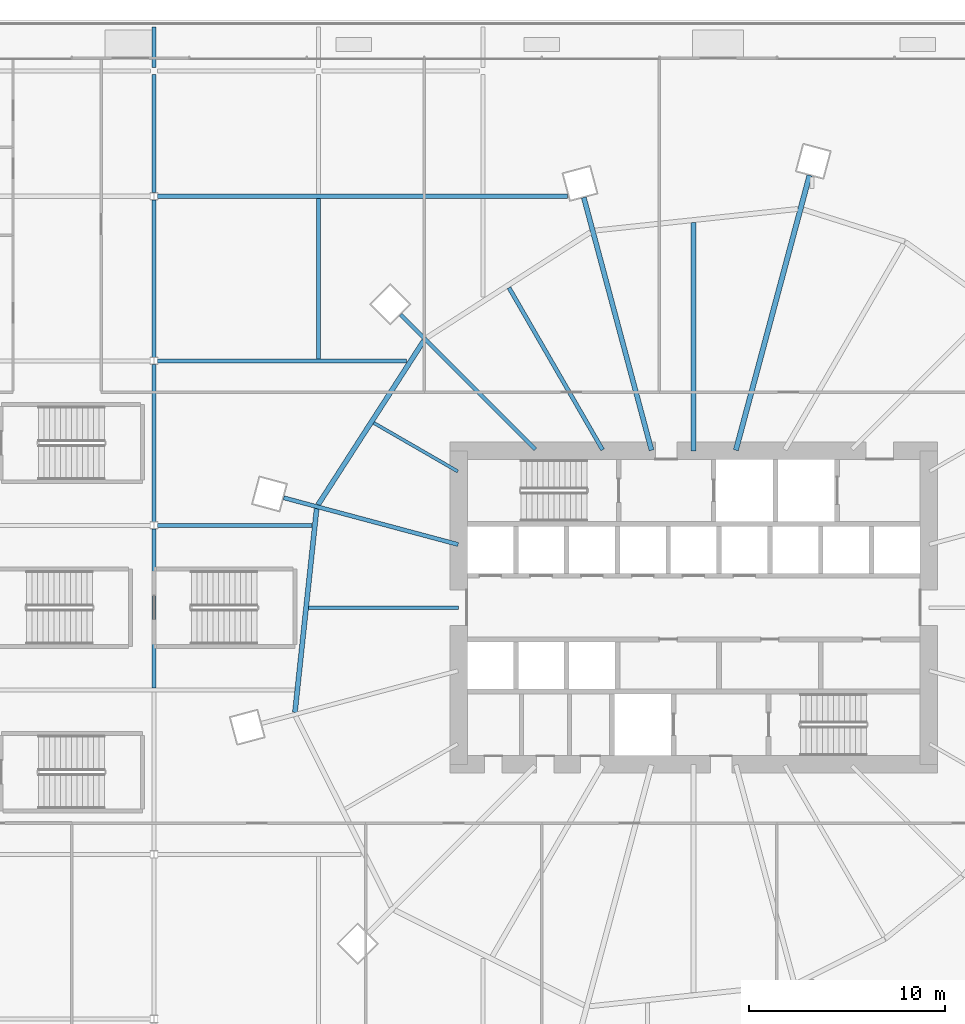
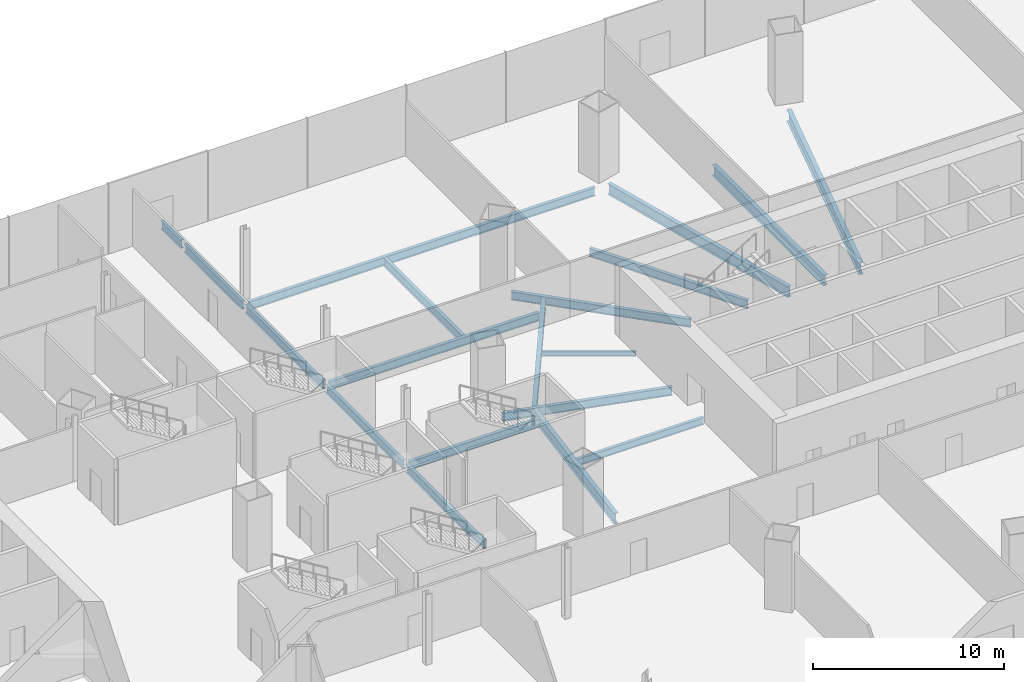
# One storey, part 26 of 52: 19 beams.
"""IFC4 building model written with IfcOpenShell, lengths in metres."""

from ifc_helpers import new_model, si_unit, direction, frame, origin, origin_2d, place, context, subcontext, project, spatial, i_section, extrude, material, material_profile, profile_set, type_object, element, save


model = new_model("IFC4")

# Units and contexts
model_context = context("Model", 3, precision=1e-05, world=origin(), true_north=direction((0.0, 1.0)))
body_context = subcontext(model_context, "Body", "Model", "MODEL_VIEW")
ifc_project = project(units=[si_unit("LENGTHUNIT", "METRE"), si_unit("AREAUNIT", "SQUARE_METRE"), si_unit("VOLUMEUNIT", "CUBIC_METRE"), si_unit("PLANEANGLEUNIT", "RADIAN"), si_unit("MASSUNIT", "GRAM", prefix="KILO")], contexts=[model_context])

# Site, building, storey
site_placement = place(None, origin())
site = spatial("IfcSite", under=ifc_project, at=site_placement, CompositionType="ELEMENT")
building_placement = place(site_placement, origin())
building = spatial("IfcBuilding", under=site, at=building_placement, Name="Rimbun Link Towers", CompositionType="ELEMENT")
storey_placement = place(building_placement, frame((0.0, 0.0, 21.0)))
storey = spatial("IfcBuildingStorey", under=building, at=storey_placement, Name="L04", CompositionType="ELEMENT", Elevation=21.0)

# Beams
ifc_material_1 = material(Name="Steel S355J2", Category="steel")
ifc_material_profile_1 = material_profile(ifc_material_1, i_section(OverallWidth=0.1650390625, OverallDepth=0.303466796875, WebThickness=0.006103515625, FlangeThickness=0.01025390625, at=origin_2d()), Name="UB 305x165x40")
ifc_profile_set_1 = profile_set([ifc_material_profile_1], Name="Steel S355J2")
beam_type_1 = type_object("IfcBeamType", Name="UB 305x165x40", PredefinedType="BEAM", material=ifc_profile_set_1)
beam_1_placement = place(storey_placement, frame((19.7080078125, 6.952392578125, -0.45166015625), z_axis=(-0.866029649098, 0.49999264683, 0.0), x_axis=(-0.49999264683, -0.866029649098, 0.0)))
element("IfcBeam", 1, at=beam_1_placement, inside=storey, type_object=beam_type_1, Name="Radial beam T2 L04 07", PredefinedType="BEAM", context=body_context, shape_type="SweptSolid", body=[
    extrude(i_section(OverallWidth=0.1650390625, OverallDepth=0.303466796875, WebThickness=0.006103515625, FlangeThickness=0.01025390625, at=origin_2d()), origin(), (0.0, 0.0, 1.0), 4.95361328125),
])
ifc_material_2 = material(Name="Steel S355J2", Category="steel")
ifc_material_profile_2 = material_profile(ifc_material_2, i_section(OverallWidth=0.18994140625, OverallDepth=0.453369140625, WebThickness=0.008544921875, FlangeThickness=0.0126953125, at=origin_2d()), Name="UB 457x191x67")
ifc_profile_set_2 = profile_set([ifc_material_profile_2], Name="Steel S355J2")
beam_type_2 = type_object("IfcBeamType", Name="UB 457x191x67", PredefinedType="BEAM", material=ifc_profile_set_2)
beam_2_placement = place(storey_placement, frame((19.7490234375, 0.0, -0.526611328125), z_axis=(-1.0, 0.0, 0.0), x_axis=(0.0, -1.0, 0.0)))
element("IfcBeam", 2, at=beam_2_placement, inside=storey, type_object=beam_type_2, Name="Radial beam T2 L04 09", PredefinedType="BEAM", context=body_context, shape_type="SweptSolid", body=[
    extrude(i_section(OverallWidth=0.18994140625, OverallDepth=0.453369140625, WebThickness=0.008544921875, FlangeThickness=0.0126953125, at=origin_2d()), origin(), (0.0, 0.0, 1.0), 7.65771484375),
])
ifc_material_3 = material(Name="Steel S355J2", Category="steel")
ifc_material_profile_3 = material_profile(ifc_material_3, i_section(OverallWidth=0.209228515625, OverallDepth=0.533203125, WebThickness=0.010009765625, FlangeThickness=0.015625, at=origin_2d()), Name="UB 533x210x92")
ifc_profile_set_3 = profile_set([ifc_material_profile_3], Name="Steel S355J2")
beam_type_3 = type_object("IfcBeamType", Name="UB 533x210x92", PredefinedType="BEAM", material=ifc_profile_set_3)
beam_3_placement = place(storey_placement, frame((27.1005859375, 8.05322265625, -0.56640625), z_axis=(-0.500001003139, 0.866024824621, 0.0), x_axis=(-0.866024824621, -0.500001003139, 0.0)))
element("IfcBeam", 3, at=beam_3_placement, inside=storey, type_object=beam_type_3, Name="Radial beam T2 L04 05", PredefinedType="BEAM", context=body_context, shape_type="SweptSolid", body=[
    extrude(i_section(OverallWidth=0.209228515625, OverallDepth=0.533203125, WebThickness=0.010009765625, FlangeThickness=0.015625, at=origin_2d()), origin(), (0.0, 0.0, 1.0), 9.5595703125),
])
beam_4_placement = place(storey_placement, frame((23.67529296875, 8.07470703125, -0.56640625), z_axis=(-0.707106781187, 0.707106781187, 0.0), x_axis=(-0.707106781187, -0.707106781187, 0.0)))
element("IfcBeam", 4, at=beam_4_placement, inside=storey, type_object=beam_type_3, Name="Radial beam T2 L04 06", PredefinedType="BEAM", context=body_context, shape_type="SweptSolid", body=[
    extrude(i_section(OverallWidth=0.209228515625, OverallDepth=0.533203125, WebThickness=0.010009765625, FlangeThickness=0.015625, at=origin_2d()), origin(), (0.0, 0.0, 1.0), 9.73486328125),
])
beam_5_placement = place(storey_placement, frame((19.721923828125, 3.222900390625, -0.56640625), z_axis=(-0.965927485499, 0.258812852768, 0.0), x_axis=(-0.258812852768, -0.965927485499, 0.0)))
element("IfcBeam", 5, at=beam_5_placement, inside=storey, type_object=beam_type_3, Name="Radial beam T2 L04 08", PredefinedType="BEAM", context=body_context, shape_type="SweptSolid", body=[
    extrude(i_section(OverallWidth=0.209228515625, OverallDepth=0.533203125, WebThickness=0.010009765625, FlangeThickness=0.015625, at=origin_2d()), origin(), (0.0, 0.0, 1.0), 9.219970703125),
])
beam_6_placement = place(storey_placement, frame((4.38525390625, 4.199951171875, -0.56640625), z_axis=(1.0, 0.0, 0.0), x_axis=(0.0, 1.0, 0.0)))
element("IfcBeam", 6, at=beam_6_placement, inside=storey, type_object=beam_type_3, Name="Grid beam L04 +4.2", PredefinedType="BEAM", context=body_context, shape_type="SweptSolid", body=[
    extrude(i_section(OverallWidth=0.209228515625, OverallDepth=0.533203125, WebThickness=0.010009765625, FlangeThickness=0.015625, at=origin_2d()), origin(), (0.0, 0.0, 1.0), 7.88525390625),
])
beam_7_placement = place(storey_placement, frame((4.38525390625, 12.60009765625, -0.56640625), z_axis=(1.0, 0.0, 0.0), x_axis=(0.0, 1.0, 0.0)))
element("IfcBeam", 7, at=beam_7_placement, inside=storey, type_object=beam_type_3, Name="Grid beam L04 +12.6", PredefinedType="BEAM", context=body_context, shape_type="SweptSolid", body=[
    extrude(i_section(OverallWidth=0.209228515625, OverallDepth=0.533203125, WebThickness=0.010009765625, FlangeThickness=0.015625, at=origin_2d()), origin(), (0.0, 0.0, 1.0), 12.7041015625),
])
beam_8_placement = place(storey_placement, frame((4.38525390625, 21.0, -0.56640625), z_axis=(1.0, 0.0, 0.0), x_axis=(0.0, 1.0, 0.0)))
element("IfcBeam", 8, at=beam_8_placement, inside=storey, type_object=beam_type_3, Name="Grid beam L04 +21.0", PredefinedType="BEAM", context=body_context, shape_type="SweptSolid", body=[
    extrude(i_section(OverallWidth=0.209228515625, OverallDepth=0.533203125, WebThickness=0.010009765625, FlangeThickness=0.015625, at=origin_2d()), origin(), (0.0, 0.0, 1.0), 20.92724609375),
])
beam_9_placement = place(storey_placement, frame((4.199951171875, -4.09521484375, -0.56640625), z_axis=(0.0, 1.0, 0.0), x_axis=(-1.0, 0.0, 0.0)))
element("IfcBeam", 9, at=beam_9_placement, inside=storey, type_object=beam_type_3, Name="Grid beam L04 +4.2", PredefinedType="BEAM", context=body_context, shape_type="SweptSolid", body=[
    extrude(i_section(OverallWidth=0.209228515625, OverallDepth=0.533203125, WebThickness=0.010009765625, FlangeThickness=0.015625, at=origin_2d()), origin(), (0.0, 0.0, 1.0), 8.1142578125),
])
beam_10_placement = place(storey_placement, frame((4.199951171875, 4.381103515625, -0.56640625), z_axis=(0.0, 1.0, 0.0), x_axis=(-1.0, 0.0, 0.0)))
element("IfcBeam", 10, at=beam_10_placement, inside=storey, type_object=beam_type_3, Name="Grid beam L04 +4.2", PredefinedType="BEAM", context=body_context, shape_type="SweptSolid", body=[
    extrude(i_section(OverallWidth=0.209228515625, OverallDepth=0.533203125, WebThickness=0.010009765625, FlangeThickness=0.015625, at=origin_2d()), origin(), (0.0, 0.0, 1.0), 8.037841796875),
])
beam_11_placement = place(storey_placement, frame((4.199951171875, 12.781005859375, -0.56640625), z_axis=(0.0, 1.0, 0.0), x_axis=(-1.0, 0.0, 0.0)))
element("IfcBeam", 11, at=beam_11_placement, inside=storey, type_object=beam_type_3, Name="Grid beam L04 +4.2", PredefinedType="BEAM", context=body_context, shape_type="SweptSolid", body=[
    extrude(i_section(OverallWidth=0.209228515625, OverallDepth=0.533203125, WebThickness=0.010009765625, FlangeThickness=0.015625, at=origin_2d()), origin(), (0.0, 0.0, 1.0), 8.0380859375),
])
beam_12_placement = place(storey_placement, frame((4.199951171875, 21.180908203125, -0.56640625), z_axis=(0.0, 1.0, 0.0), x_axis=(-1.0, 0.0, 0.0)))
element("IfcBeam", 12, at=beam_12_placement, inside=storey, type_object=beam_type_3, Name="Grid beam L04 +4.2", PredefinedType="BEAM", context=body_context, shape_type="SweptSolid", body=[
    extrude(i_section(OverallWidth=0.209228515625, OverallDepth=0.533203125, WebThickness=0.010009765625, FlangeThickness=0.015625, at=origin_2d()), origin(), (0.0, 0.0, 1.0), 6.0380859375),
])
beam_13_placement = place(storey_placement, frame((4.199951171875, 27.5810546875, -0.56640625), z_axis=(0.0, 1.0, 0.0), x_axis=(-1.0, 0.0, 0.0)))
element("IfcBeam", 13, at=beam_13_placement, inside=storey, type_object=beam_type_3, Name="Grid beam L04 +4.2", PredefinedType="BEAM", context=body_context, shape_type="SweptSolid", body=[
    extrude(i_section(OverallWidth=0.209228515625, OverallDepth=0.533203125, WebThickness=0.010009765625, FlangeThickness=0.015625, at=origin_2d()), origin(), (0.0, 0.0, 1.0), 2.06787109375),
])
beam_14_placement = place(storey_placement, frame((12.60009765625, 12.70458984375, -0.56640625), z_axis=(0.0, 1.0, 0.0), x_axis=(-1.0, 0.0, 0.0)))
element("IfcBeam", 14, at=beam_14_placement, inside=storey, type_object=beam_type_3, Name="Grid beam L04 +12.6", PredefinedType="BEAM", context=body_context, shape_type="SweptSolid", body=[
    extrude(i_section(OverallWidth=0.209228515625, OverallDepth=0.533203125, WebThickness=0.010009765625, FlangeThickness=0.015625, at=origin_2d()), origin(), (0.0, 0.0, 1.0), 8.19091796875),
])
ifc_material_4 = material(Name="Steel S355J2", Category="steel")
ifc_material_profile_4 = material_profile(ifc_material_4, i_section(OverallWidth=0.253662109375, OverallDepth=0.68359375, WebThickness=0.012451171875, FlangeThickness=0.01904296875, at=origin_2d()), Name="UB 686x254x140")
ifc_profile_set_4 = profile_set([ifc_material_profile_4], Name="Steel S355J2")
beam_type_4 = type_object("IfcBeamType", Name="UB 686x254x140", PredefinedType="BEAM", material=ifc_profile_set_4)
beam_15_placement = place(storey_placement, frame((31.75, 8.0009765625, -0.641845703125), z_axis=(0.0, 1.0, 0.0), x_axis=(-1.0, 0.0, 0.0)))
element("IfcBeam", 15, at=beam_15_placement, inside=storey, type_object=beam_type_4, Name="Radial beam T2 L04 03", PredefinedType="BEAM", context=body_context, shape_type="SweptSolid", body=[
    extrude(i_section(OverallWidth=0.253662109375, OverallDepth=0.68359375, WebThickness=0.012451171875, FlangeThickness=0.01904296875, at=origin_2d()), origin(), (0.0, 0.0, 1.0), 11.65771484375),
])
beam_16_placement = place(storey_placement, frame((29.597412109375, 8.03369140625, -0.641845703125), z_axis=(-0.258816190288, 0.96592659123, 0.0), x_axis=(-0.96592659123, -0.258816190288, 0.0)))
element("IfcBeam", 16, at=beam_16_placement, inside=storey, type_object=beam_type_4, Name="Radial beam T2 L04 04", PredefinedType="BEAM", context=body_context, shape_type="SweptSolid", body=[
    extrude(i_section(OverallWidth=0.253662109375, OverallDepth=0.68359375, WebThickness=0.012451171875, FlangeThickness=0.01904296875, at=origin_2d()), origin(), (0.0, 0.0, 1.0), 13.355224609375),
])
beam_17_placement = place(storey_placement, frame((17.9716796875, 13.62890625, -0.641845703125), z_axis=(-0.541606359312, -0.840632233235, 0.0), x_axis=(0.840632233235, -0.541606359312, 0.0)))
element("IfcBeam", 17, at=beam_17_placement, inside=storey, type_object=beam_type_4, Name="Edge beam T2 L04 06-08", PredefinedType="BEAM", context=body_context, shape_type="SweptSolid", body=[
    extrude(i_section(OverallWidth=0.253662109375, OverallDepth=0.68359375, WebThickness=0.012451171875, FlangeThickness=0.01904296875, at=origin_2d()), origin(), (0.0, 0.0, 1.0), 9.9697265625),
])
beam_18_placement = place(storey_placement, frame((12.50048828125, 5.048583984375, -0.641845703125), z_axis=(-0.105900549099, -0.994376726246, 0.0), x_axis=(0.994376726246, -0.105900549099, 0.0)))
element("IfcBeam", 18, at=beam_18_placement, inside=storey, type_object=beam_type_4, Name="Edge beam T2 L04 08-10", PredefinedType="BEAM", context=body_context, shape_type="SweptSolid", body=[
    extrude(i_section(OverallWidth=0.253662109375, OverallDepth=0.68359375, WebThickness=0.012451171875, FlangeThickness=0.01904296875, at=origin_2d()), origin(), (0.0, 0.0, 1.0), 10.45263671875),
])
ifc_material_5 = material(Name="Steel S355J2", Category="steel")
ifc_material_profile_5 = material_profile(ifc_material_5, i_section(OverallWidth=0.2666015625, OverallDepth=0.76220703125, WebThickness=0.014404296875, FlangeThickness=0.021484375, at=origin_2d()), Name="UB 762x267x173")
ifc_profile_set_5 = profile_set([ifc_material_profile_5], Name="Steel S355J2")
beam_type_5 = type_object("IfcBeamType", Name="UB 762x267x173", PredefinedType="BEAM", material=ifc_profile_set_5)
beam_19_placement = place(storey_placement, frame((33.903076171875, 8.035400390625, -0.68115234375), z_axis=(0.25882261837, 0.965924868828, 0.0), x_axis=(-0.965924868828, 0.25882261837, 0.0)))
element("IfcBeam", 19, at=beam_19_placement, inside=storey, type_object=beam_type_5, Name="Radial beam T2 L04 02", PredefinedType="BEAM", context=body_context, shape_type="SweptSolid", body=[
    extrude(i_section(OverallWidth=0.2666015625, OverallDepth=0.76220703125, WebThickness=0.014404296875, FlangeThickness=0.021484375, at=origin_2d()), origin(), (0.0, 0.0, 1.0), 14.525390625),
])

save(model, "model.ifc")
